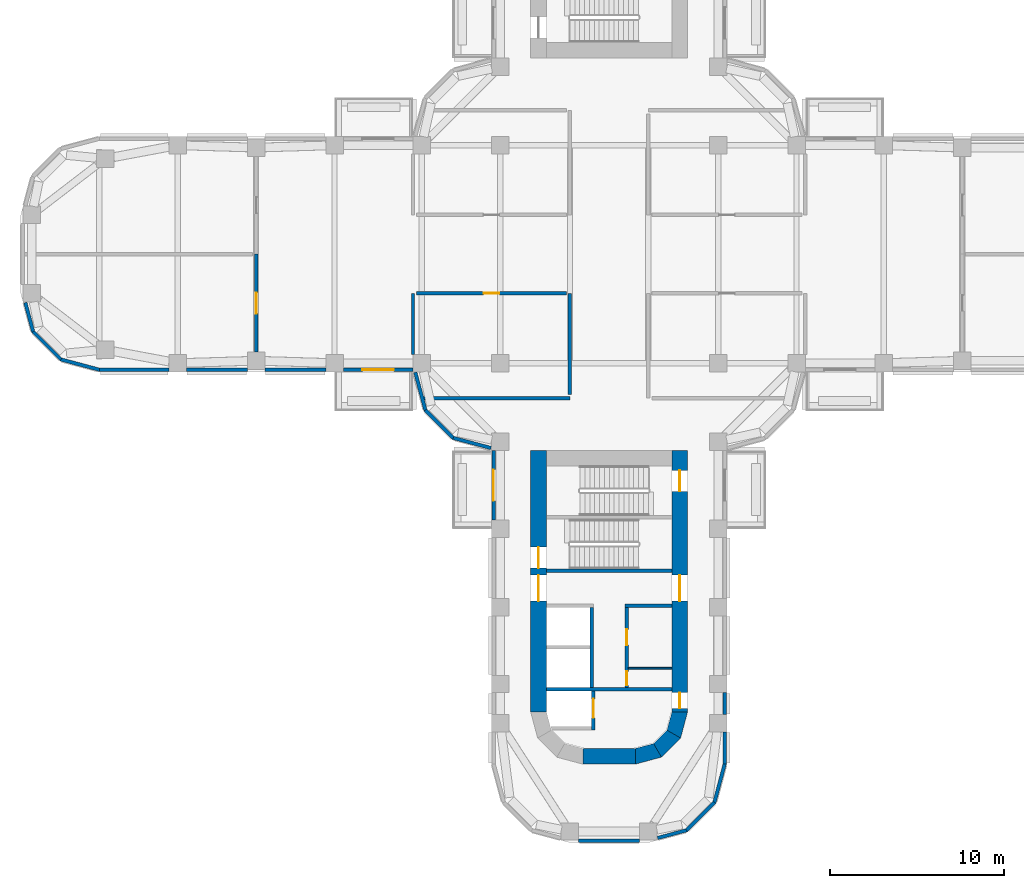
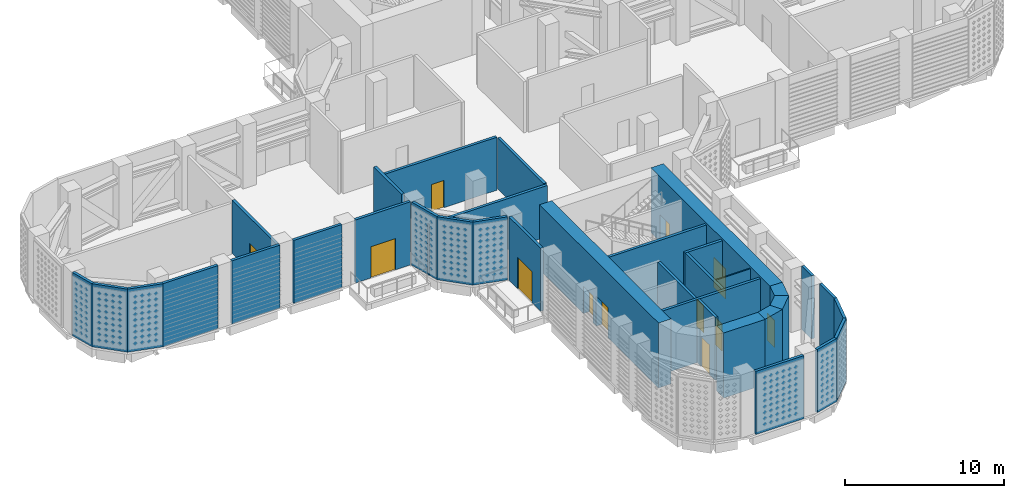
# One storey, part 5 of 20: 35 walls, 12 doors, 12 openings.
"""IFC4 building model written with IfcOpenShell, lengths in metres."""

from ifc_helpers import new_model, si_unit, direction, frame, frame_2d, origin, place, context, subcontext, project, spatial, polyline, rectangle, outline, extrude, material, layer, layer_set, type_object, element, fill, save


model = new_model("IFC4")

# Units and contexts
model_context = context("Model", 3, precision=1e-05, world=origin(), true_north=direction((0.0, 1.0)))
body_context = subcontext(model_context, "Body", "Model", "MODEL_VIEW")
ifc_project = project(units=[si_unit("LENGTHUNIT", "METRE"), si_unit("AREAUNIT", "SQUARE_METRE"), si_unit("VOLUMEUNIT", "CUBIC_METRE"), si_unit("PLANEANGLEUNIT", "RADIAN"), si_unit("MASSUNIT", "GRAM", prefix="KILO")], contexts=[model_context])

# Site, building, storey
site_placement = place(None, origin())
site = spatial("IfcSite", under=ifc_project, at=site_placement, CompositionType="ELEMENT")
building_placement = place(site_placement, origin())
building = spatial("IfcBuilding", under=site, at=building_placement, Name="Zarbagh Exchange Tower", CompositionType="ELEMENT")
storey_placement = place(building_placement, frame((0.0, 0.0, 81.60009765625)))
storey = spatial("IfcBuildingStorey", under=building, at=storey_placement, Name="L18", CompositionType="ELEMENT", Elevation=81.60009765625)

# Wall
ifc_material_1 = material(Name="Dense blockwork", Category="masonry")
ifc_layer_1 = layer(ifc_material_1, 0.10009765625)
ifc_layer_set_1 = layer_set([ifc_layer_1], Name="Core partition 100 mm blockwork")
wall_type_1 = type_object("IfcWallType", Name="Core partition 100 mm blockwork", PredefinedType="PARTITIONING", material=ifc_layer_set_1)
wall_1_placement = place(storey_placement, frame((3.60009765625, -23.75, 0.0), z_axis=(0.0, 0.0, 1.0), x_axis=(-1.0, 0.0, 0.0)))
element("IfcWall", 1, at=wall_1_placement, inside=storey, type_object=wall_type_1, Name="South core partition wall CUT-W-460", PredefinedType="PARTITIONING", context=body_context, shape_type="SweptSolid", body=[
    extrude(rectangle(XDim=2.5, YDim=0.10009765625, at=frame_2d((1.25, 0.0))), origin(), (0.0, 0.0, 1.0), 4.849853515625),
])

# Wall, opening, door
ifc_material_2 = material(Name="Concrete block partition", Category="concrete")
ifc_layer_2 = layer(ifc_material_2, 0.199951171875)
ifc_layer_set_2 = layer_set([ifc_layer_2], Name="Fire-rated block partition 200 EI 120")
wall_type_2 = type_object("IfcWallType", Name="Fire-rated block partition 200 EI 120", PredefinedType="PARTITIONING", material=ifc_layer_set_2)
wall_2_placement = place(storey_placement, frame((-20.25, 0.0, 0.0), z_axis=(0.0, 0.0, 1.0), x_axis=(0.0, -1.0, 0.0)))
wall_2 = element("IfcWall", 2, at=wall_2_placement, inside=storey, type_object=wall_type_2, Name="WL-L18-W020", PredefinedType="PARTITIONING", context=body_context, shape_type="SweptSolid", body=[
    extrude(rectangle(XDim=5.610107421875, YDim=0.199951171875, at=frame_2d((2.80517578125, 0.0))), origin(), (0.0, 0.0, 1.0), 4.072998046875),
])
opening_1_placement = place(wall_2_placement, frame((2.205078125, 0.0, 0.0)))
opening_1 = element("IfcOpeningElement", 3, at=opening_1_placement, cuts=wall_2, Name="Opening D47", PredefinedType="OPENING", context=body_context, shape_type="SweptSolid", body=[
    extrude(rectangle(XDim=1.199951171875, YDim=2.10009765625, at=frame_2d((0.60009765625, 1.050048828125))), frame((0.0, 0.10986328125, 0.0), z_axis=(0.0, -1.0, 0.0), x_axis=(1.0, 0.0, 0.0)), (0.0, 0.0, 1.0), 0.219970703125),
])
ifc_material_3 = material(Name="Steel door set", Category="steel")
door_type_1 = type_object("IfcDoorType", Name="Door single 1200x2100 EI 120", OperationType="SINGLE_SWING_LEFT", PredefinedType="DOOR", material=ifc_material_3)
door_1_placement = place(opening_1_placement, origin())
door_1 = element("IfcDoor", 4, at=door_1_placement, inside=storey, type_object=door_type_1, Name="D07", OperationType="SINGLE_SWING_LEFT", OverallHeight=2.10009765625, OverallWidth=1.199951171875, PredefinedType="DOOR", context=body_context, shape_type="SweptSolid", body=[
    extrude(rectangle(XDim=1.199951171875, YDim=2.10009765625, at=frame_2d((0.60009765625, 1.050048828125))), frame((0.0, 0.02490234375, 0.0), z_axis=(0.0, -1.0, 0.0), x_axis=(1.0, 0.0, 0.0)), (0.0, 0.0, 1.0), 0.050048828125),
])
fill(opening_1, door_1)

# Walls
ifc_layer_3 = layer(ifc_material_2, 0.199951171875)
ifc_layer_set_3 = layer_set([ifc_layer_3], Name="Fire-rated block partition 200 EI 60")
wall_type_3 = type_object("IfcWallType", Name="Fire-rated block partition 200 EI 60", PredefinedType="PARTITIONING", material=ifc_layer_set_3)
wall_3_placement = place(storey_placement, frame((-10.84814453125, -8.25, 0.0), z_axis=(0.0, 0.0, 1.0), x_axis=(1.0, 0.0, 0.0)))
element("IfcWall", 5, at=wall_3_placement, inside=storey, type_object=wall_type_3, Name="WL-L18-W007", PredefinedType="PARTITIONING", context=body_context, shape_type="SweptSolid", body=[
    extrude(rectangle(XDim=8.59814453125, YDim=0.199951171875, at=frame_2d((4.299072265625, 0.0))), origin(), (0.0, 0.0, 1.0), 3.929931640625),
])
wall_4_placement = place(storey_placement, frame((-2.25, -8.050048828125, 0.0), z_axis=(0.0, 0.0, 1.0), x_axis=(0.0, 1.0, 0.0)))
element("IfcWall", 6, at=wall_4_placement, inside=storey, type_object=wall_type_3, Name="WL-L18-W008", PredefinedType="PARTITIONING", context=body_context, shape_type="SweptSolid", body=[
    extrude(rectangle(XDim=5.800048828125, YDim=0.199951171875, at=frame_2d((2.89990234375, 0.0))), origin(), (0.0, 0.0, 1.0), 3.918212890625),
])
wall_5_placement = place(storey_placement, frame((-11.25, -5.75, 0.0), z_axis=(0.0, 0.0, 1.0), x_axis=(0.0, 1.0, 0.0)))
element("IfcWall", 7, at=wall_5_placement, inside=storey, type_object=wall_type_3, Name="WL-L18-W015", PredefinedType="PARTITIONING", context=body_context, shape_type="SweptSolid", body=[
    extrude(rectangle(XDim=3.5, YDim=0.199951171875, at=frame_2d((1.75, 0.0))), origin(), (0.0, 0.0, 1.0), 4.849853515625),
])

# Wall, opening, door
wall_6_placement = place(storey_placement, frame((-2.449951171875, -2.25, 0.0), z_axis=(0.0, 0.0, 1.0), x_axis=(-1.0, 0.0, 0.0)))
wall_6 = element("IfcWall", 8, at=wall_6_placement, inside=storey, type_object=wall_type_3, Name="WL-L18-W016", PredefinedType="PARTITIONING", context=body_context, shape_type="SweptSolid", body=[
    extrude(rectangle(XDim=8.60009765625, YDim=0.199951171875, at=frame_2d((4.300048828125, 0.0))), origin(), (0.0, 0.0, 1.0), 4.072998046875),
])
opening_2_placement = place(wall_6_placement, frame((3.85009765625, 0.0, 0.0)))
opening_2 = element("IfcOpeningElement", 9, at=opening_2_placement, cuts=wall_6, Name="Opening D04", PredefinedType="OPENING", context=body_context, shape_type="SweptSolid", body=[
    extrude(rectangle(XDim=0.89990234375, YDim=2.10009765625, at=frame_2d((0.449951171875, 1.050048828125))), frame((0.0, 0.10986328125, 0.0), z_axis=(0.0, -1.0, 0.0), x_axis=(1.0, 0.0, 0.0)), (0.0, 0.0, 1.0), 0.219970703125),
])
door_type_2 = type_object("IfcDoorType", Name="Door single 900x2100 EI 60", OperationType="SINGLE_SWING_LEFT", PredefinedType="DOOR", material=ifc_material_3)
door_2_placement = place(opening_2_placement, origin())
door_2 = element("IfcDoor", 10, at=door_2_placement, inside=storey, type_object=door_type_2, Name="D04", OperationType="SINGLE_SWING_LEFT", OverallHeight=2.10009765625, OverallWidth=0.89990234375, PredefinedType="DOOR", context=body_context, shape_type="SweptSolid", body=[
    extrude(rectangle(XDim=0.89990234375, YDim=2.10009765625, at=frame_2d((0.449951171875, 1.050048828125))), frame((0.0, 0.02490234375, 0.0), z_axis=(0.0, -1.0, 0.0), x_axis=(1.0, 0.0, 0.0)), (0.0, 0.0, 1.0), 0.050048828125),
])
fill(opening_2, door_2)

# Walls
ifc_material_4 = material(Name="Precast concrete C50/60", Category="concrete")
ifc_layer_4 = layer(ifc_material_4, 0.199951171875)
ifc_layer_set_4 = layer_set([ifc_layer_4], Name="Plant wall, precast concrete C50/60")
wall_type_4 = type_object("IfcWallType", Name="Plant wall, precast concrete C50/60", PredefinedType="SOLIDWALL", material=ifc_layer_set_4)
wall_7_placement = place(storey_placement, origin())
element("IfcWall", 11, at=wall_7_placement, inside=storey, type_object=wall_type_4, Name="PW01 plant wall", PredefinedType="SOLIDWALL", context=body_context, shape_type="SweptSolid", body=[
    extrude(outline(polyline([(2.80224609375, -33.581298828125), (4.48974609375, -33.129150390625), (4.38623046875, -32.949951171875), (2.75048828125, -33.38818359375), (2.80224609375, -33.581298828125)])), origin(), (0.0, 0.0, 1.0), 4.849853515625),
])
wall_8_placement = place(storey_placement, origin())
element("IfcWall", 12, at=wall_8_placement, inside=storey, type_object=wall_type_4, Name="PW02 plant wall", PredefinedType="SOLIDWALL", context=body_context, shape_type="SweptSolid", body=[
    extrude(outline(polyline([(4.48974609375, -33.129150390625), (6.129150390625, -31.48974609375), (5.949951171875, -31.38623046875), (4.38623046875, -32.949951171875), (4.48974609375, -33.129150390625)])), origin(), (0.0, 0.0, 1.0), 4.849853515625),
])
wall_9_placement = place(storey_placement, origin())
element("IfcWall", 13, at=wall_9_placement, inside=storey, type_object=wall_type_4, Name="PW03 plant wall", PredefinedType="SOLIDWALL", context=body_context, shape_type="SweptSolid", body=[
    extrude(outline(polyline([(6.129150390625, -31.48974609375), (6.72998046875, -29.247314453125), (6.530029296875, -29.220947265625), (5.949951171875, -31.38623046875), (6.129150390625, -31.48974609375)])), origin(), (0.0, 0.0, 1.0), 4.849853515625),
])
wall_10_placement = place(storey_placement, origin())
element("IfcWall", 14, at=wall_10_placement, inside=storey, type_object=wall_type_4, Name="PW04 plant wall", PredefinedType="SOLIDWALL", context=body_context, shape_type="SweptSolid", body=[
    extrude(outline(polyline([(6.72998046875, -29.247314453125), (6.72998046875, -27.39990234375), (6.530029296875, -27.39990234375), (6.530029296875, -29.220947265625), (6.72998046875, -29.247314453125)])), origin(), (0.0, 0.0, 1.0), 4.849853515625),
])
wall_11_placement = place(storey_placement, origin())
element("IfcWall", 15, at=wall_11_placement, inside=storey, type_object=wall_type_4, Name="PW04 plant wall", PredefinedType="SOLIDWALL", context=body_context, shape_type="SweptSolid", body=[
    extrude(outline(polyline([(6.72998046875, -26.39990234375), (6.72998046875, -25.14990234375), (6.530029296875, -25.14990234375), (6.530029296875, -26.39990234375), (6.72998046875, -26.39990234375)])), origin(), (0.0, 0.0, 1.0), 4.849853515625),
])
wall_12_placement = place(storey_placement, origin())
element("IfcWall", 16, at=wall_12_placement, inside=storey, type_object=wall_type_4, Name="PW37 plant wall", PredefinedType="SOLIDWALL", context=body_context, shape_type="SweptSolid", body=[
    extrude(outline(polyline([(-33.581298828125, -2.80224609375), (-33.129150390625, -4.48974609375), (-32.949951171875, -4.38623046875), (-33.38818359375, -2.75048828125), (-33.581298828125, -2.80224609375)])), origin(), (0.0, 0.0, 1.0), 4.849853515625),
])
wall_13_placement = place(storey_placement, origin())
element("IfcWall", 17, at=wall_13_placement, inside=storey, type_object=wall_type_4, Name="PW38 plant wall", PredefinedType="SOLIDWALL", context=body_context, shape_type="SweptSolid", body=[
    extrude(outline(polyline([(-33.129150390625, -4.48974609375), (-31.48974609375, -6.129150390625), (-31.38623046875, -5.949951171875), (-32.949951171875, -4.38623046875), (-33.129150390625, -4.48974609375)])), origin(), (0.0, 0.0, 1.0), 4.849853515625),
])
wall_14_placement = place(storey_placement, origin())
element("IfcWall", 18, at=wall_14_placement, inside=storey, type_object=wall_type_4, Name="PW39 plant wall", PredefinedType="SOLIDWALL", context=body_context, shape_type="SweptSolid", body=[
    extrude(outline(polyline([(-31.48974609375, -6.129150390625), (-29.247314453125, -6.72998046875), (-29.220947265625, -6.530029296875), (-31.38623046875, -5.949951171875), (-31.48974609375, -6.129150390625)])), origin(), (0.0, 0.0, 1.0), 4.849853515625),
])
wall_15_placement = place(storey_placement, origin())
element("IfcWall", 19, at=wall_15_placement, inside=storey, type_object=wall_type_4, Name="PW40 plant wall", PredefinedType="SOLIDWALL", context=body_context, shape_type="SweptSolid", body=[
    extrude(outline(polyline([(-29.247314453125, -6.72998046875), (-25.25, -6.72998046875), (-25.25, -6.530029296875), (-29.220947265625, -6.530029296875), (-29.247314453125, -6.72998046875)])), origin(), (0.0, 0.0, 1.0), 4.849853515625),
])
wall_16_placement = place(storey_placement, origin())
element("IfcWall", 20, at=wall_16_placement, inside=storey, type_object=wall_type_4, Name="PW40 plant wall", PredefinedType="SOLIDWALL", context=body_context, shape_type="SweptSolid", body=[
    extrude(outline(polyline([(-24.25, -6.72998046875), (-20.75, -6.72998046875), (-20.75, -6.530029296875), (-24.25, -6.530029296875), (-24.25, -6.72998046875)])), origin(), (0.0, 0.0, 1.0), 4.849853515625),
])
wall_17_placement = place(storey_placement, origin())
element("IfcWall", 21, at=wall_17_placement, inside=storey, type_object=wall_type_4, Name="PW40 plant wall", PredefinedType="SOLIDWALL", context=body_context, shape_type="SweptSolid", body=[
    extrude(outline(polyline([(-19.75, -6.72998046875), (-16.25, -6.72998046875), (-16.25, -6.530029296875), (-19.75, -6.530029296875), (-19.75, -6.72998046875)])), origin(), (0.0, 0.0, 1.0), 4.849853515625),
])
wall_18_placement = place(storey_placement, origin())
element("IfcWall", 22, at=wall_18_placement, inside=storey, type_object=wall_type_4, Name="PW41 plant wall", PredefinedType="SOLIDWALL", context=body_context, shape_type="SweptSolid", body=[
    extrude(outline(polyline([(-11.21533203125, -6.80224609375), (-10.629150390625, -8.98974609375), (-10.449951171875, -8.88623046875), (-11.02197265625, -6.75048828125), (-11.21533203125, -6.80224609375)])), origin(), (0.0, 0.0, 1.0), 4.849853515625),
])
wall_19_placement = place(storey_placement, origin())
element("IfcWall", 23, at=wall_19_placement, inside=storey, type_object=wall_type_4, Name="PW42 plant wall", PredefinedType="SOLIDWALL", context=body_context, shape_type="SweptSolid", body=[
    extrude(outline(polyline([(-10.629150390625, -8.98974609375), (-8.98974609375, -10.629150390625), (-8.88623046875, -10.449951171875), (-10.449951171875, -8.88623046875), (-10.629150390625, -8.98974609375)])), origin(), (0.0, 0.0, 1.0), 4.849853515625),
])
wall_20_placement = place(storey_placement, origin())
element("IfcWall", 24, at=wall_20_placement, inside=storey, type_object=wall_type_4, Name="PW43 plant wall", PredefinedType="SOLIDWALL", context=body_context, shape_type="SweptSolid", body=[
    extrude(outline(polyline([(-8.98974609375, -10.629150390625), (-6.80224609375, -11.21533203125), (-6.75048828125, -11.02197265625), (-8.88623046875, -10.449951171875), (-8.98974609375, -10.629150390625)])), origin(), (0.0, 0.0, 1.0), 4.849853515625),
])
wall_21_placement = place(storey_placement, origin())
element("IfcWall", 25, at=wall_21_placement, inside=storey, type_object=wall_type_4, Name="PW48 plant wall", PredefinedType="SOLIDWALL", context=body_context, shape_type="SweptSolid", body=[
    extrude(outline(polyline([(-1.75, -33.72998046875), (1.75, -33.72998046875), (1.75, -33.530029296875), (-1.75, -33.530029296875), (-1.75, -33.72998046875)])), origin(), (0.0, 0.0, 1.0), 4.849853515625),
])
ifc_material_5 = material(Name="Concrete C60/75", Category="concrete")
ifc_layer_5 = layer(ifc_material_5, 0.89990234375)
ifc_layer_set_5 = layer_set([ifc_layer_5], Name="RC core corner wall 900 C60/75")
wall_type_5 = type_object("IfcWallType", Name="RC core corner wall 900 C60/75", PredefinedType="SHEAR", material=ifc_layer_set_5)
wall_22_placement = place(storey_placement, origin())
element("IfcWall", 26, at=wall_22_placement, inside=storey, type_object=wall_type_5, Name="CW2 core S corner E", PredefinedType="SHEAR", context=body_context, shape_type="SweptSolid", body=[
    extrude(outline(polyline([(4.5, -26.25), (4.09814453125, -27.75), (3.318603515625, -27.300048828125), (3.60009765625, -26.25), (4.5, -26.25)])), origin(), (0.0, 0.0, 1.0), 5.0),
])
wall_23_placement = place(storey_placement, origin())
element("IfcWall", 27, at=wall_23_placement, inside=storey, type_object=wall_type_5, Name="CW2 core S corner E", PredefinedType="SHEAR", context=body_context, shape_type="SweptSolid", body=[
    extrude(outline(polyline([(4.09814453125, -27.75), (3.0, -28.84814453125), (2.550048828125, -28.068603515625), (3.318603515625, -27.300048828125), (4.09814453125, -27.75)])), origin(), (0.0, 0.0, 1.0), 5.0),
])
wall_24_placement = place(storey_placement, origin())
element("IfcWall", 28, at=wall_24_placement, inside=storey, type_object=wall_type_5, Name="CW2 core S corner E", PredefinedType="SHEAR", context=body_context, shape_type="SweptSolid", body=[
    extrude(outline(polyline([(3.0, -28.84814453125), (1.5, -29.25), (1.5, -28.35009765625), (2.550048828125, -28.068603515625), (3.0, -28.84814453125)])), origin(), (0.0, 0.0, 1.0), 5.0),
])

# Wall, openings, doors
ifc_layer_6 = layer(ifc_material_5, 0.89990234375)
ifc_layer_set_6 = layer_set([ifc_layer_6], Name="RC core wall 900 C60/75")
wall_type_6 = type_object("IfcWallType", Name="RC core wall 900 C60/75", PredefinedType="SHEAR", material=ifc_layer_set_6)
wall_25_placement = place(storey_placement, frame((-4.050048828125, -11.25, 0.0), z_axis=(0.0, 0.0, 1.0), x_axis=(0.0, -1.0, 0.0)))
wall_25 = element("IfcWall", 29, at=wall_25_placement, inside=storey, type_object=wall_type_6, Name="CW1 core S W", PredefinedType="SHEAR", context=body_context, shape_type="SweptSolid", body=[
    extrude(rectangle(XDim=15.0, YDim=0.89990234375, at=frame_2d((7.5, 0.0))), origin(), (0.0, 0.0, 1.0), 5.0),
])
opening_3_placement = place(wall_25_placement, frame((7.14990234375, 0.0, 0.0)))
opening_3 = element("IfcOpeningElement", 30, at=opening_3_placement, cuts=wall_25, Name="Opening CD1-1500", PredefinedType="OPENING", context=body_context, shape_type="SweptSolid", body=[
    extrude(rectangle(XDim=1.5, YDim=2.300048828125, at=frame_2d((0.75, 1.14990234375))), frame((0.0, 0.4599609375, 0.0), z_axis=(0.0, -1.0, 0.0), x_axis=(1.0, 0.0, 0.0)), (0.0, 0.0, 1.0), 0.919921875),
])
opening_4_placement = place(wall_25_placement, frame((5.550048828125, 0.0, 0.0)))
opening_4 = element("IfcOpeningElement", 31, at=opening_4_placement, cuts=wall_25, Name="Opening SD1-1200", PredefinedType="OPENING", context=body_context, shape_type="SweptSolid", body=[
    extrude(rectangle(XDim=1.199951171875, YDim=2.10009765625, at=frame_2d((0.60009765625, 1.050048828125))), frame((0.0, 0.4599609375, 0.0), z_axis=(0.0, -1.0, 0.0), x_axis=(1.0, 0.0, 0.0)), (0.0, 0.0, 1.0), 0.919921875),
])
ifc_material_6 = material(Name="Steel", Category="steel")
door_type_3 = type_object("IfcDoorType", Name="Exit stair door 1200 x 2100", OperationType="NOTDEFINED", PredefinedType="DOOR", material=ifc_material_6)
door_3_placement = place(opening_4_placement, origin())
door_3 = element("IfcDoor", 32, at=door_3_placement, inside=storey, type_object=door_type_3, Name="South core stair door ST1", OperationType="SINGLE_SWING_RIGHT", OverallHeight=2.10009765625, OverallWidth=1.199951171875, PredefinedType="DOOR", context=body_context, shape_type="SweptSolid", body=[
    extrude(rectangle(XDim=1.199951171875, YDim=2.10009765625, at=frame_2d((0.60009765625, 1.050048828125))), frame((0.0, 0.02490234375, 0.0), z_axis=(0.0, -1.0, 0.0), x_axis=(1.0, 0.0, 0.0)), (0.0, 0.0, 1.0), 0.050048828125),
])
fill(opening_4, door_3)
door_type_4 = type_object("IfcDoorType", Name="Lift lobby double door 1500 x 2300", OperationType="NOTDEFINED", PredefinedType="DOOR", material=ifc_material_6)
door_4_placement = place(opening_3_placement, origin())
door_4 = element("IfcDoor", 33, at=door_4_placement, inside=storey, type_object=door_type_4, Name="South core lift lobby door LOBBY-E", OperationType="DOUBLE_DOOR_SINGLE_SWING", OverallHeight=2.300048828125, OverallWidth=1.5, PredefinedType="DOOR", context=body_context, shape_type="SweptSolid", body=[
    extrude(rectangle(XDim=1.5, YDim=2.300048828125, at=frame_2d((0.75, 1.14990234375))), frame((0.0, 0.02490234375, 0.0), z_axis=(0.0, -1.0, 0.0), x_axis=(1.0, 0.0, 0.0)), (0.0, 0.0, 1.0), 0.050048828125),
])
fill(opening_3, door_4)

wall_26_placement = place(storey_placement, frame((4.050048828125, -11.25, 0.0), z_axis=(0.0, 0.0, 1.0), x_axis=(0.0, -1.0, 0.0)))
wall_26 = element("IfcWall", 34, at=wall_26_placement, inside=storey, type_object=wall_type_6, Name="CW1 core S E", PredefinedType="SHEAR", context=body_context, shape_type="SweptSolid", body=[
    extrude(rectangle(XDim=15.0, YDim=0.89990234375, at=frame_2d((7.5, 0.0))), origin(), (0.0, 0.0, 1.0), 5.0),
])
opening_5_placement = place(wall_26_placement, frame((7.14990234375, 0.0, 0.0)))
opening_5 = element("IfcOpeningElement", 35, at=opening_5_placement, cuts=wall_26, Name="Opening CD1-1500", PredefinedType="OPENING", context=body_context, shape_type="SweptSolid", body=[
    extrude(rectangle(XDim=1.5, YDim=2.300048828125, at=frame_2d((0.75, 1.14990234375))), frame((0.0, 0.4599609375, 0.0), z_axis=(0.0, -1.0, 0.0), x_axis=(1.0, 0.0, 0.0)), (0.0, 0.0, 1.0), 0.919921875),
])
opening_6_placement = place(wall_26_placement, frame((13.89990234375, 0.0, 0.0)))
opening_6 = element("IfcOpeningElement", 36, at=opening_6_placement, cuts=wall_26, Name="Opening CD2-900", PredefinedType="OPENING", context=body_context, shape_type="SweptSolid", body=[
    extrude(rectangle(XDim=0.89990234375, YDim=2.10009765625, at=frame_2d((0.449951171875, 1.050048828125))), frame((0.0, 0.4599609375, 0.0), z_axis=(0.0, -1.0, 0.0), x_axis=(1.0, 0.0, 0.0)), (0.0, 0.0, 1.0), 0.919921875),
])
opening_7_placement = place(wall_26_placement, frame((1.14990234375, 0.0, 0.0)))
opening_7 = element("IfcOpeningElement", 37, at=opening_7_placement, cuts=wall_26, Name="Opening SD1-1200", PredefinedType="OPENING", context=body_context, shape_type="SweptSolid", body=[
    extrude(rectangle(XDim=1.199951171875, YDim=2.10009765625, at=frame_2d((0.60009765625, 1.050048828125))), frame((0.0, 0.4599609375, 0.0), z_axis=(0.0, -1.0, 0.0), x_axis=(1.0, 0.0, 0.0)), (0.0, 0.0, 1.0), 0.919921875),
])
door_5_placement = place(opening_7_placement, origin())
door_5 = element("IfcDoor", 38, at=door_5_placement, inside=storey, type_object=door_type_3, Name="South core stair door ST2", OperationType="SINGLE_SWING_RIGHT", OverallHeight=2.10009765625, OverallWidth=1.199951171875, PredefinedType="DOOR", context=body_context, shape_type="SweptSolid", body=[
    extrude(rectangle(XDim=1.199951171875, YDim=2.10009765625, at=frame_2d((0.60009765625, 1.050048828125))), frame((0.0, 0.02490234375, 0.0), z_axis=(0.0, -1.0, 0.0), x_axis=(1.0, 0.0, 0.0)), (0.0, 0.0, 1.0), 0.050048828125),
])
fill(opening_7, door_5)
door_type_5 = type_object("IfcDoorType", Name="Firefighting lobby door 900 x 2100", OperationType="NOTDEFINED", PredefinedType="DOOR", material=ifc_material_6)
door_6_placement = place(opening_6_placement, origin())
door_6 = element("IfcDoor", 39, at=door_6_placement, inside=storey, type_object=door_type_5, Name="South core firefighting lobby door FF-W", OperationType="SINGLE_SWING_RIGHT", OverallHeight=2.10009765625, OverallWidth=0.89990234375, PredefinedType="DOOR", context=body_context, shape_type="SweptSolid", body=[
    extrude(rectangle(XDim=0.89990234375, YDim=2.10009765625, at=frame_2d((0.449951171875, 1.050048828125))), frame((0.0, 0.02490234375, 0.0), z_axis=(0.0, -1.0, 0.0), x_axis=(1.0, 0.0, 0.0)), (0.0, 0.0, 1.0), 0.050048828125),
])
fill(opening_6, door_6)
door_7_placement = place(opening_5_placement, origin())
door_7 = element("IfcDoor", 40, at=door_7_placement, inside=storey, type_object=door_type_4, Name="South core lift lobby door LOBBY-W", OperationType="DOUBLE_DOOR_SINGLE_SWING", OverallHeight=2.300048828125, OverallWidth=1.5, PredefinedType="DOOR", context=body_context, shape_type="SweptSolid", body=[
    extrude(rectangle(XDim=1.5, YDim=2.300048828125, at=frame_2d((0.75, 1.14990234375))), frame((0.0, 0.02490234375, 0.0), z_axis=(0.0, -1.0, 0.0), x_axis=(1.0, 0.0, 0.0)), (0.0, 0.0, 1.0), 0.050048828125),
])
fill(opening_5, door_7)

# Walls
wall_27_placement = place(storey_placement, frame((-1.5, -28.800048828125, 0.0), z_axis=(0.0, 0.0, 1.0), x_axis=(1.0, 0.0, 0.0)))
element("IfcWall", 41, at=wall_27_placement, inside=storey, type_object=wall_type_6, Name="CW1 core S outer end", PredefinedType="SHEAR", context=body_context, shape_type="SweptSolid", body=[
    extrude(rectangle(XDim=3.0, YDim=0.89990234375, at=frame_2d((1.5, 0.0))), origin(), (0.0, 0.0, 1.0), 5.0),
])
ifc_layer_7 = layer(ifc_material_1, 0.199951171875)
ifc_layer_set_7 = layer_set([ifc_layer_7], Name="Shaft wall 200 mm blockwork")
wall_type_7 = type_object("IfcWallType", Name="Shaft wall 200 mm blockwork", PredefinedType="PARTITIONING", material=ifc_layer_set_7)
wall_28_placement = place(storey_placement, frame((3.60009765625, -20.14990234375, 0.0), z_axis=(0.0, 0.0, 1.0), x_axis=(-1.0, 0.0, 0.0)))
element("IfcWall", 42, at=wall_28_placement, inside=storey, type_object=wall_type_7, Name="South core shaft wall AB-W", PredefinedType="PARTITIONING", context=body_context, shape_type="SweptSolid", body=[
    extrude(rectangle(XDim=2.7001953125, YDim=0.199951171875, at=frame_2d((1.35009765625, 0.0))), origin(), (0.0, 0.0, 1.0), 4.849853515625),
])

# Wall, openings, doors
wall_29_placement = place(storey_placement, frame((1.0, -24.85009765625, 0.0), z_axis=(0.0, 0.0, 1.0), x_axis=(0.0, 1.0, 0.0)))
wall_29 = element("IfcWall", 43, at=wall_29_placement, inside=storey, type_object=wall_type_7, Name="South core shaft wall LW-W", PredefinedType="PARTITIONING", context=body_context, shape_type="SweptSolid", body=[
    extrude(rectangle(XDim=4.60009765625, YDim=0.199951171875, at=frame_2d((2.300048828125, 0.0))), origin(), (0.0, 0.0, 1.0), 4.849853515625),
])
opening_8_placement = place(wall_29_placement, frame((0.125, 0.0, 0.0)))
opening_8 = element("IfcOpeningElement", 44, at=opening_8_placement, cuts=wall_29, Name="Opening CD3-800", PredefinedType="OPENING", context=body_context, shape_type="SweptSolid", body=[
    extrude(rectangle(XDim=0.800048828125, YDim=2.10009765625, at=frame_2d((0.39990234375, 1.050048828125))), frame((0.0, 0.10986328125, 0.0), z_axis=(0.0, -1.0, 0.0), x_axis=(1.0, 0.0, 0.0)), (0.0, 0.0, 1.0), 0.219970703125),
])
opening_9_placement = place(wall_29_placement, frame((2.425048828125, 0.0, 0.0)))
opening_9 = element("IfcOpeningElement", 45, at=opening_9_placement, cuts=wall_29, Name="Opening CD3-900", PredefinedType="OPENING", context=body_context, shape_type="SweptSolid", body=[
    extrude(rectangle(XDim=0.89990234375, YDim=2.10009765625, at=frame_2d((0.449951171875, 1.050048828125))), frame((0.0, 0.10986328125, 0.0), z_axis=(0.0, -1.0, 0.0), x_axis=(1.0, 0.0, 0.0)), (0.0, 0.0, 1.0), 0.219970703125),
])
door_type_6 = type_object("IfcDoorType", Name="Core room door 800 x 2100", OperationType="NOTDEFINED", PredefinedType="DOOR", material=ifc_material_6)
door_8_placement = place(opening_8_placement, origin())
door_8 = element("IfcDoor", 46, at=door_8_placement, inside=storey, type_object=door_type_6, Name="South core Plant room door RD-W-0", OperationType="SINGLE_SWING_LEFT", OverallHeight=2.10009765625, OverallWidth=0.800048828125, PredefinedType="DOOR", context=body_context, shape_type="SweptSolid", body=[
    extrude(rectangle(XDim=0.800048828125, YDim=2.10009765625, at=frame_2d((0.39990234375, 1.050048828125))), frame((0.0, 0.02490234375, 0.0), z_axis=(0.0, -1.0, 0.0), x_axis=(1.0, 0.0, 0.0)), (0.0, 0.0, 1.0), 0.050048828125),
])
fill(opening_8, door_8)
door_type_7 = type_object("IfcDoorType", Name="Core room door 900 x 2100", OperationType="NOTDEFINED", PredefinedType="DOOR", material=ifc_material_6)
door_9_placement = place(opening_9_placement, origin())
door_9 = element("IfcDoor", 47, at=door_9_placement, inside=storey, type_object=door_type_7, Name="South core Mechanical store door RD-W-1", OperationType="SINGLE_SWING_LEFT", OverallHeight=2.10009765625, OverallWidth=0.89990234375, PredefinedType="DOOR", context=body_context, shape_type="SweptSolid", body=[
    extrude(rectangle(XDim=0.89990234375, YDim=2.10009765625, at=frame_2d((0.449951171875, 1.050048828125))), frame((0.0, 0.02490234375, 0.0), z_axis=(0.0, -1.0, 0.0), x_axis=(1.0, 0.0, 0.0)), (0.0, 0.0, 1.0), 0.050048828125),
])
fill(opening_9, door_9)

# Walls
wall_30_placement = place(storey_placement, frame((-1.0, -24.85009765625, 0.0), z_axis=(0.0, 0.0, 1.0), x_axis=(0.0, 1.0, 0.0)))
element("IfcWall", 48, at=wall_30_placement, inside=storey, type_object=wall_type_7, Name="South core shaft wall LW-E", PredefinedType="PARTITIONING", context=body_context, shape_type="SweptSolid", body=[
    extrude(rectangle(XDim=4.60009765625, YDim=0.199951171875, at=frame_2d((2.300048828125, 0.0))), origin(), (0.0, 0.0, 1.0), 4.849853515625),
])
ifc_material_7 = material(Name="Concrete C40/50", Category="concrete")
ifc_layer_8 = layer(ifc_material_7, 0.199951171875)
ifc_layer_set_8 = layer_set([ifc_layer_8], Name="Stair enclosure wall 200 mm RC C40/50")
wall_type_8 = type_object("IfcWallType", Name="Stair enclosure wall 200 mm RC C40/50", PredefinedType="SHEAR", material=ifc_layer_set_8)
wall_31_placement = place(storey_placement, frame((3.60009765625, -24.949951171875, 0.0), z_axis=(0.0, 0.0, 1.0), x_axis=(-1.0, 0.0, 0.0)))
element("IfcWall", 49, at=wall_31_placement, inside=storey, type_object=wall_type_8, Name="South core lift shaft wall FFA", PredefinedType="SHEAR", context=body_context, shape_type="SweptSolid", body=[
    extrude(rectangle(XDim=7.2001953125, YDim=0.199951171875, at=frame_2d((3.60009765625, 0.0))), origin(), (0.0, 0.0, 1.0), 4.849853515625),
])

# Wall, opening, door
wall_32_placement = place(storey_placement, frame((-0.89990234375, -27.300048828125, 0.0), z_axis=(0.0, 0.0, 1.0), x_axis=(0.0, 1.0, 0.0)))
wall_32 = element("IfcWall", 50, at=wall_32_placement, inside=storey, type_object=wall_type_8, Name="South core lift shaft wall FFL", PredefinedType="SHEAR", context=body_context, shape_type="SweptSolid", body=[
    extrude(rectangle(XDim=2.25, YDim=0.199951171875, at=frame_2d((1.125, 0.0))), origin(), (0.0, 0.0, 1.0), 4.849853515625),
])
opening_10_placement = place(wall_32_placement, frame((0.699951171875, 0.0, 0.0)))
opening_10 = element("IfcOpeningElement", 51, at=opening_10_placement, cuts=wall_32, Name="Opening LD-1100", PredefinedType="OPENING", context=body_context, shape_type="SweptSolid", body=[
    extrude(rectangle(XDim=1.10009765625, YDim=2.300048828125, at=frame_2d((0.550048828125, 1.14990234375))), frame((0.0, 0.10986328125, 0.0), z_axis=(0.0, -1.0, 0.0), x_axis=(1.0, 0.0, 0.0)), (0.0, 0.0, 1.0), 0.219970703125),
])
ifc_material_8 = material(Name="Stainless steel", Category="steel")
door_type_8 = type_object("IfcDoorType", Name="Lift landing door 1100 x 2300", OperationType="NOTDEFINED", PredefinedType="DOOR", material=ifc_material_8)
door_10_placement = place(opening_10_placement, origin())
door_10 = element("IfcDoor", 52, at=door_10_placement, inside=storey, type_object=door_type_8, Name="South core lift landing door LD-F", OperationType="DOUBLE_DOOR_SLIDING", OverallHeight=2.300048828125, OverallWidth=1.10009765625, PredefinedType="DOOR", context=body_context, shape_type="SweptSolid", body=[
    extrude(rectangle(XDim=1.10009765625, YDim=2.300048828125, at=frame_2d((0.550048828125, 1.14990234375))), frame((0.0, 0.02490234375, 0.0), z_axis=(0.0, -1.0, 0.0), x_axis=(1.0, 0.0, 0.0)), (0.0, 0.0, 1.0), 0.050048828125),
])
fill(opening_10, door_10)

# Wall
wall_33_placement = place(storey_placement, frame((3.60009765625, -18.14990234375, 0.0), z_axis=(0.0, 0.0, 1.0), x_axis=(-1.0, 0.0, 0.0)))
element("IfcWall", 53, at=wall_33_placement, inside=storey, type_object=wall_type_8, Name="South core stair wall BS", PredefinedType="SHEAR", context=body_context, shape_type="SweptSolid", body=[
    extrude(rectangle(XDim=7.2001953125, YDim=0.199951171875, at=frame_2d((3.60009765625, 0.0))), origin(), (0.0, 0.0, 1.0), 4.849853515625),
])

# Wall, opening, door
ifc_layer_9 = layer(ifc_material_4, 0.199951171875)
ifc_layer_set_9 = layer_set([ifc_layer_9], Name="Terrace door wall, precast concrete C50/60")
wall_type_9 = type_object("IfcWallType", Name="Terrace door wall, precast concrete C50/60", PredefinedType="SOLIDWALL", material=ifc_layer_set_9)
wall_34_placement = place(storey_placement, frame((-15.25, -6.6298828125, 0.0), z_axis=(0.0, 0.0, 1.0), x_axis=(1.0, 0.0, 0.0)))
wall_34 = element("IfcWall", 54, at=wall_34_placement, inside=storey, type_object=wall_type_9, Name="TW40 door wall", PredefinedType="SOLIDWALL", context=body_context, shape_type="SweptSolid", body=[
    extrude(rectangle(XDim=4.0, YDim=0.199951171875, at=frame_2d((2.0, 0.0))), origin(), (0.0, 0.0, 1.0), 4.849853515625),
])
opening_11_placement = place(wall_34_placement, frame((1.10009765625, 0.0, 0.0)))
opening_11 = element("IfcOpeningElement", 55, at=opening_11_placement, cuts=wall_34, Name="Opening TD02", PredefinedType="OPENING", context=body_context, shape_type="SweptSolid", body=[
    extrude(rectangle(XDim=1.800048828125, YDim=2.39990234375, at=frame_2d((0.89990234375, 1.199951171875))), frame((0.0, 0.10986328125, 0.0), z_axis=(0.0, -1.0, 0.0), x_axis=(1.0, 0.0, 0.0)), (0.0, 0.0, 1.0), 0.219970703125),
])
ifc_material_9 = material(Name="Anodised aluminium and glass", Category="aluminium")
door_type_9 = type_object("IfcDoorType", Name="Terrace door, double leaf, aluminium and glass", OperationType="DOUBLE_DOOR_DOUBLE_SWING", PredefinedType="DOOR", material=ifc_material_9)
door_11_placement = place(opening_11_placement, origin())
door_11 = element("IfcDoor", 56, at=door_11_placement, inside=storey, type_object=door_type_9, Name="TD02 terrace door", OperationType="SINGLE_SWING_LEFT", OverallHeight=2.39990234375, OverallWidth=1.800048828125, PredefinedType="DOOR", context=body_context, shape_type="SweptSolid", body=[
    extrude(rectangle(XDim=1.800048828125, YDim=2.39990234375, at=frame_2d((0.89990234375, 1.199951171875))), frame((0.0, 0.02490234375, 0.0), z_axis=(0.0, -1.0, 0.0), x_axis=(1.0, 0.0, 0.0)), (0.0, 0.0, 1.0), 0.050048828125),
])
fill(opening_11, door_11)

wall_35_placement = place(storey_placement, frame((-6.6298828125, -11.25, 0.0), z_axis=(0.0, 0.0, 1.0), x_axis=(0.0, -1.0, 0.0)))
wall_35 = element("IfcWall", 57, at=wall_35_placement, inside=storey, type_object=wall_type_9, Name="TW41 door wall", PredefinedType="SOLIDWALL", context=body_context, shape_type="SweptSolid", body=[
    extrude(rectangle(XDim=4.0, YDim=0.199951171875, at=frame_2d((2.0, 0.0))), origin(), (0.0, 0.0, 1.0), 4.849853515625),
])
opening_12_placement = place(wall_35_placement, frame((1.10009765625, 0.0, 0.0)))
opening_12 = element("IfcOpeningElement", 58, at=opening_12_placement, cuts=wall_35, Name="Opening TD02", PredefinedType="OPENING", context=body_context, shape_type="SweptSolid", body=[
    extrude(rectangle(XDim=1.800048828125, YDim=2.39990234375, at=frame_2d((0.89990234375, 1.199951171875))), frame((0.0, 0.10986328125, 0.0), z_axis=(0.0, -1.0, 0.0), x_axis=(1.0, 0.0, 0.0)), (0.0, 0.0, 1.0), 0.219970703125),
])
door_12_placement = place(opening_12_placement, origin())
door_12 = element("IfcDoor", 59, at=door_12_placement, inside=storey, type_object=door_type_9, Name="TD02 terrace door", OperationType="SINGLE_SWING_LEFT", OverallHeight=2.39990234375, OverallWidth=1.800048828125, PredefinedType="DOOR", context=body_context, shape_type="SweptSolid", body=[
    extrude(rectangle(XDim=1.800048828125, YDim=2.39990234375, at=frame_2d((0.89990234375, 1.199951171875))), frame((0.0, 0.02490234375, 0.0), z_axis=(0.0, -1.0, 0.0), x_axis=(1.0, 0.0, 0.0)), (0.0, 0.0, 1.0), 0.050048828125),
])
fill(opening_12, door_12)

save(model, "model.ifc")
